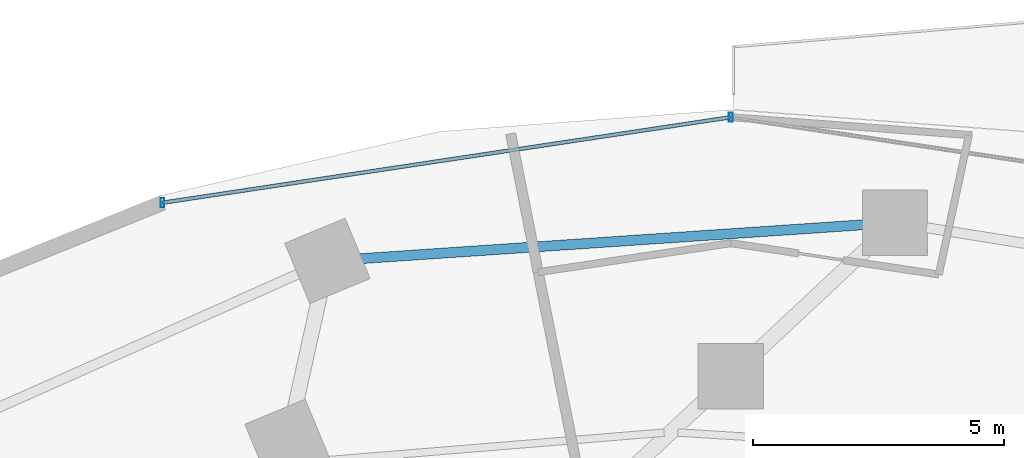
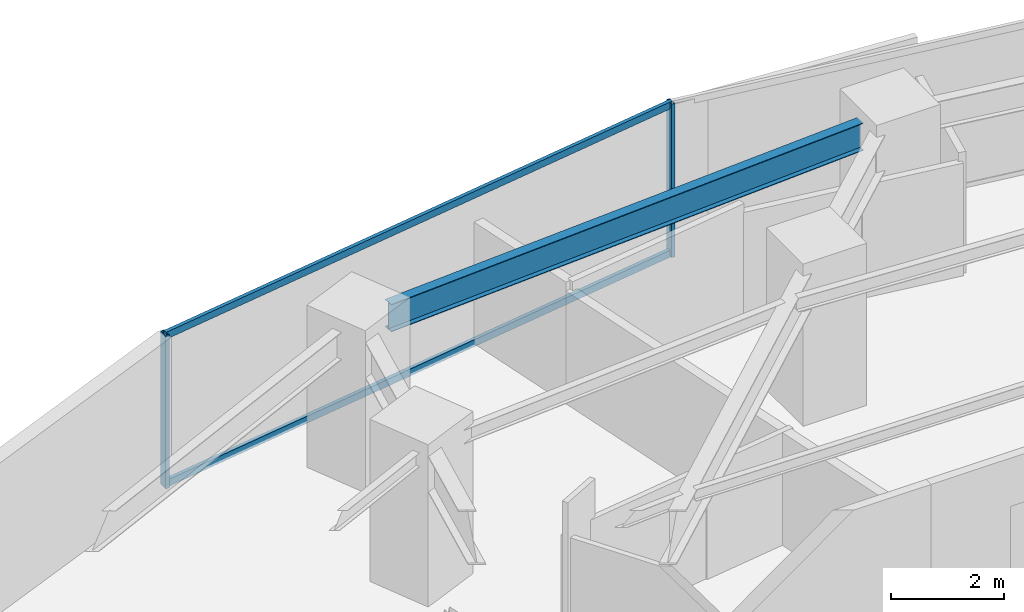
# One storey, part 21 of 33: 4 members, 1 beam, 1 element without a shape of its own.
"""IFC4 building model written with IfcOpenShell, lengths in metres."""

from ifc_helpers import new_model, si_unit, direction, frame, origin, origin_2d, place, context, subcontext, project, spatial, hollow_rectangle, i_section, extrude, material, material_profile, profile_set, type_object, element, aggregate, save


model = new_model("IFC4")

# Units and contexts
model_context = context("Model", 3, precision=1e-05, world=origin(), true_north=direction((0.0, 1.0)))
body_context = subcontext(model_context, "Body", "Model", "MODEL_VIEW")
ifc_project = project(units=[si_unit("LENGTHUNIT", "METRE"), si_unit("AREAUNIT", "SQUARE_METRE"), si_unit("VOLUMEUNIT", "CUBIC_METRE"), si_unit("PLANEANGLEUNIT", "RADIAN"), si_unit("MASSUNIT", "GRAM", prefix="KILO")], contexts=[model_context])

# Site, building, storey
site_placement = place(None, origin())
site = spatial("IfcSite", under=ifc_project, at=site_placement, CompositionType="ELEMENT")
building_placement = place(site_placement, origin())
building = spatial("IfcBuilding", under=site, at=building_placement, Name="Vorneva Point Tower", CompositionType="ELEMENT")
storey_placement = place(building_placement, frame((0.0, 0.0, 34.5)))
storey = spatial("IfcBuildingStorey", under=building, at=storey_placement, Name="L08", CompositionType="ELEMENT", Elevation=34.5)

# Beam
ifc_material_1 = material(Name="Steel S355", Category="steel")
ifc_material_profile_1 = material_profile(ifc_material_1, i_section(OverallWidth=0.198974609375, OverallDepth=0.595947265625, WebThickness=0.010009765625, FlangeThickness=0.014892578125, at=origin_2d()), Name="60B1")
ifc_profile_set_1 = profile_set([ifc_material_profile_1], Name="Steel S355")
beam_type = type_object("IfcBeamType", Name="BM-SPN-60B1", PredefinedType="SPANDREL", material=ifc_profile_set_1)
beam_placement = place(storey_placement, frame((40.631591796875, 46.209716796875, 2.94189453125), z_axis=(-0.997736943545, -0.067238318585, 0.0), x_axis=(0.067238318585, -0.997736943545, 0.0)))
element("IfcBeam", 1, at=beam_placement, inside=storey, type_object=beam_type, Name="L08 Perimeter Spandrel Ring Beam 05", PredefinedType="SPANDREL", context=body_context, shape_type="SweptSolid", body=[
    extrude(i_section(OverallWidth=0.198974609375, OverallDepth=0.595947265625, WebThickness=0.010009765625, FlangeThickness=0.014892578125, at=origin_2d()), origin(), (0.0, 0.0, 1.0), 10.046875),
])

# Curtain wall, members
ifc_material_2 = material(Name="Pale anodised aluminium", Category="aluminium")
curtain_wall_type = type_object("IfcCurtainWallType", Name="CW-HTL-SYS", PredefinedType="NOTDEFINED", material=ifc_material_2)
curtain_wall_placement = place(storey_placement, origin())
curtain_wall = element("IfcCurtainWall", 2, at=curtain_wall_placement, inside=storey, type_object=curtain_wall_type, Name="L08 Unitised Curtain Wall CW-L08-R02", PredefinedType="NOTDEFINED")
ifc_material_profile_2 = material_profile(ifc_material_2, hollow_rectangle(XDim=0.074951171875, YDim=0.179931640625, WallThickness=0.00390625, at=origin_2d()), Name="AL-MUL 180x75x4")
ifc_profile_set_2 = profile_set([ifc_material_profile_2], Name="Pale anodised aluminium")
member_type_1 = type_object("IfcMemberType", Name="CW-MUL-180", PredefinedType="MULLION", material=ifc_profile_set_2)
member_1_placement = place(storey_placement, frame((38.0, 48.35009765625, -0.0400390625), z_axis=(0.0, 0.0, 1.0), x_axis=(1.0, 0.0, 0.0)))
member_1 = element("IfcMember", 3, at=member_1_placement, type_object=member_type_1, Name="CW-L08-R02 Mullion 03", PredefinedType="MULLION", context=body_context, shape_type="SweptSolid", body=[
    extrude(hollow_rectangle(XDim=0.074951171875, YDim=0.179931640625, WallThickness=0.00390625, at=origin_2d()), origin(), (0.0, 0.0, 1.0), 3.31005859375),
])
member_2_placement = place(storey_placement, frame((26.691650390625, 46.648681640625, -0.0400390625), z_axis=(0.0, 0.0, 1.0), x_axis=(1.0, 0.0, 0.0)))
member_2 = element("IfcMember", 4, at=member_2_placement, type_object=member_type_1, Name="CW-L08-R02 Mullion 04", PredefinedType="MULLION", context=body_context, shape_type="SweptSolid", body=[
    extrude(hollow_rectangle(XDim=0.074951171875, YDim=0.179931640625, WallThickness=0.00390625, at=origin_2d()), origin(), (0.0, 0.0, 1.0), 3.31005859375),
])
ifc_material_profile_3 = material_profile(ifc_material_2, hollow_rectangle(XDim=0.074951171875, YDim=0.14990234375, WallThickness=0.00390625, at=origin_2d()), Name="AL-TRN 150x75x4")
ifc_profile_set_3 = profile_set([ifc_material_profile_3], Name="Pale anodised aluminium")
member_type_2 = type_object("IfcMemberType", Name="CW-TRN-150", PredefinedType="USERDEFINED", material=ifc_profile_set_3)
member_3_placement = place(storey_placement, frame((38.0, 48.35009765625, 0.02001953125), z_axis=(-0.988870014575, -0.148782036131, 0.0), x_axis=(0.148782036131, -0.988870014575, 0.0)))
member_3 = element("IfcMember", 5, at=member_3_placement, type_object=member_type_2, Name="CW-L08-R02 Transom 03.1", ObjectType="TRANSOM", PredefinedType="USERDEFINED", context=body_context, shape_type="SweptSolid", body=[
    extrude(hollow_rectangle(XDim=0.074951171875, YDim=0.14990234375, WallThickness=0.00390625, at=origin_2d()), origin(), (0.0, 0.0, 1.0), 11.435546875),
])
member_4_placement = place(storey_placement, frame((38.0, 48.35009765625, 3.219970703125), z_axis=(-0.988870014575, -0.148782036131, 0.0), x_axis=(0.148782036131, -0.988870014575, 0.0)))
member_4 = element("IfcMember", 6, at=member_4_placement, type_object=member_type_2, Name="CW-L08-R02 Transom 03.2", ObjectType="TRANSOM", PredefinedType="USERDEFINED", context=body_context, shape_type="SweptSolid", body=[
    extrude(hollow_rectangle(XDim=0.074951171875, YDim=0.14990234375, WallThickness=0.00390625, at=origin_2d()), origin(), (0.0, 0.0, 1.0), 11.435546875),
])
aggregate(curtain_wall, [member_1, member_2, member_3, member_4])

save(model, "model.ifc")
